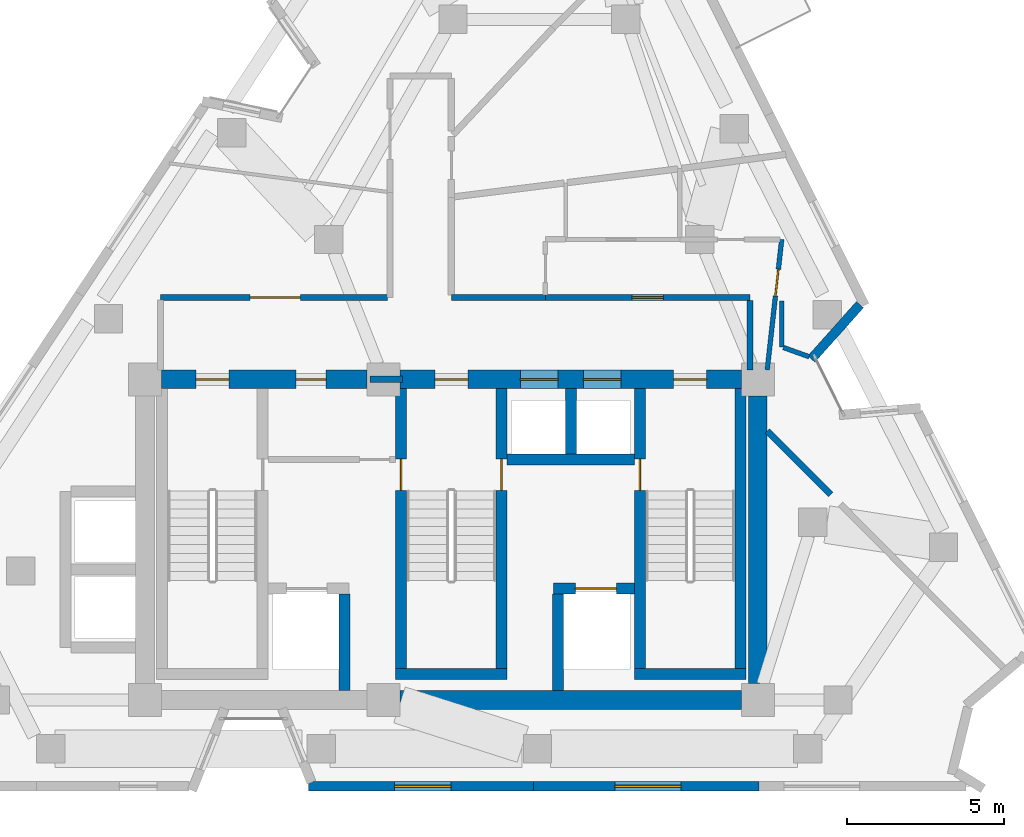
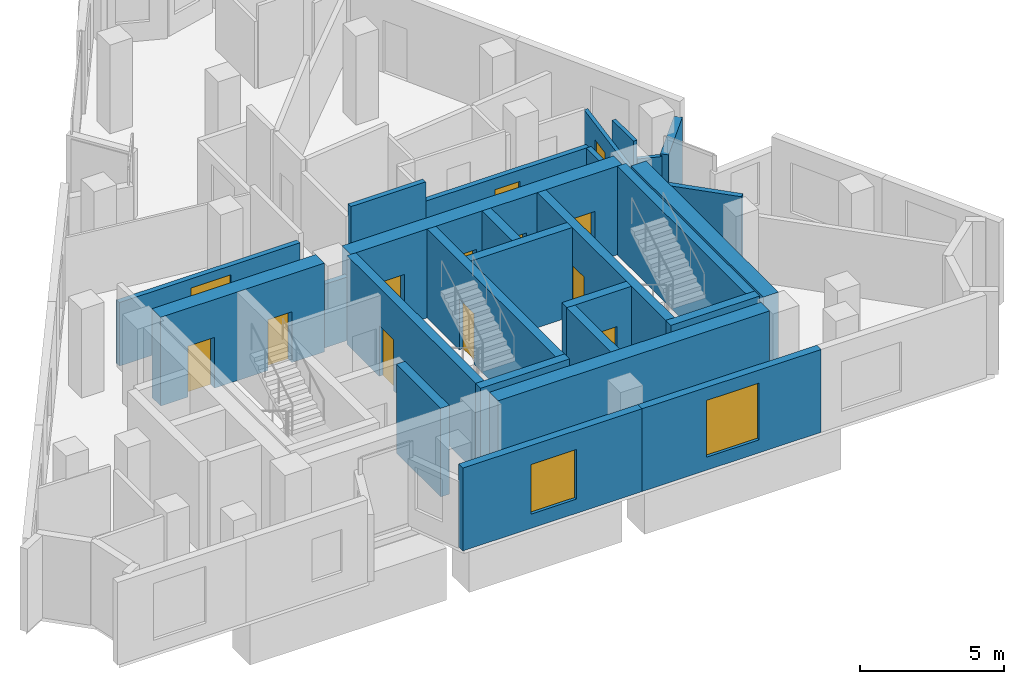
# One storey, part 6 of 9: 27 walls, 13 doors, 2 windows, 15 openings.
"""IFC4 building model written with IfcOpenShell, lengths in metres."""

from ifc_helpers import new_model, si_unit, direction, frame, frame_2d, origin, place, context, subcontext, project, spatial, rectangle, extrude, material, layer, layer_set, type_object, element, fill, save


model = new_model("IFC4")

# Units and contexts
model_context = context("Model", 3, precision=1e-05, world=origin(), true_north=direction((0.0, 1.0)))
body_context = subcontext(model_context, "Body", "Model", "MODEL_VIEW")
ifc_project = project(units=[si_unit("LENGTHUNIT", "METRE"), si_unit("AREAUNIT", "SQUARE_METRE"), si_unit("VOLUMEUNIT", "CUBIC_METRE"), si_unit("PLANEANGLEUNIT", "RADIAN"), si_unit("MASSUNIT", "GRAM", prefix="KILO")], contexts=[model_context])

# Site, building, storey
site_placement = place(None, origin())
site = spatial("IfcSite", under=ifc_project, at=site_placement, CompositionType="ELEMENT")
building_placement = place(site_placement, origin())
building = spatial("IfcBuilding", under=site, at=building_placement, Name="Almagre Mirador Tower", CompositionType="ELEMENT")
storey_placement = place(building_placement, frame((0.0, 0.0, 252.0)))
storey = spatial("IfcBuildingStorey", under=building, at=storey_placement, Name="L65", CompositionType="ELEMENT", Elevation=252.0)

# Wall
ifc_material_1 = material(Name="Precast concrete C50/60", Category="concrete")
ifc_layer_1 = layer(ifc_material_1, 0.300048828125)
ifc_layer_set_1 = layer_set([ifc_layer_1], Name="Precast concrete C50/60")
wall_type_1 = type_object("IfcWallType", Name="WAL-EXT-300", PredefinedType="SOLIDWALL", material=ifc_layer_set_1)
wall_1_placement = place(storey_placement, frame((50.298095703125, 17.123291015625, 0.0), z_axis=(0.0, 0.0, 1.0), x_axis=(-0.665963458611, -0.74598436431, 0.0)))
element("IfcWall", 1, at=wall_1_placement, inside=storey, type_object=wall_type_1, Name="L65 expressed almagre precast frame wall 11", PredefinedType="SOLIDWALL", context=body_context, shape_type="SweptSolid", body=[
    extrude(rectangle(XDim=2.31884765625, YDim=0.300048828125, at=frame_2d((1.159423828125, 0.0))), origin(), (0.0, 0.0, 1.0), 2.824951171875),
])

# Wall, opening, window
wall_2_placement = place(storey_placement, frame((47.080078125, 1.800048828125, 0.0), z_axis=(0.0, 0.0, 1.0), x_axis=(-1.0, 0.0, 0.0)))
wall_2 = element("IfcWall", 2, at=wall_2_placement, inside=storey, type_object=wall_type_1, Name="L65 expressed almagre precast frame wall 20", PredefinedType="SOLIDWALL", context=body_context, shape_type="SweptSolid", body=[
    extrude(rectangle(XDim=7.16015625, YDim=0.300048828125, at=frame_2d((3.580078125, 0.0))), origin(), (0.0, 0.0, 1.0), 3.5),
])
opening_1_placement = place(wall_2_placement, frame((2.47509765625, 0.0, 0.550048828125)))
opening_1 = element("IfcOpeningElement", 3, at=opening_1_placement, cuts=wall_2, Name="Opening WN-05", PredefinedType="OPENING", context=body_context, shape_type="SweptSolid", body=[
    extrude(rectangle(XDim=2.10009765625, YDim=2.39990234375, at=frame_2d((1.050048828125, 1.199951171875))), frame((0.0, 0.159902, 0.0), z_axis=(0.0, -1.0, 0.0), x_axis=(1.0, 0.0, 0.0)), (0.0, 0.0, 1.0), 0.320049),
])
ifc_material_2 = material(Name="Dark solar-control laminated hurricane glass", Category="glass")
window_type_1 = type_object("IfcWindowType", Name="WIN-2100X2400", PartitioningType="DOUBLE_PANEL_VERTICAL", PredefinedType="WINDOW", material=ifc_material_2)
window_1_placement = place(opening_1_placement, origin())
window_1 = element("IfcWindow", 4, at=window_1_placement, inside=storey, type_object=window_type_1, Name="L65 recessed hurricane window L65-RST-B", OverallHeight=2.39990234375, OverallWidth=2.10009765625, PartitioningType="SINGLE_PANEL", PredefinedType="WINDOW", context=body_context, shape_type="SweptSolid", body=[
    extrude(rectangle(XDim=2.10009765625, YDim=2.39990234375, at=frame_2d((1.050048828125, 1.199951171875))), frame((0.0, 0.030029296875, 0.0), z_axis=(0.0, -1.0, 0.0), x_axis=(1.0, 0.0, 0.0)), (0.0, 0.0, 1.0), 0.06005859375),
])
fill(opening_1, window_1)

wall_3_placement = place(storey_placement, frame((39.919921875, 1.800048828125, 0.0), z_axis=(0.0, 0.0, 1.0), x_axis=(-1.0, 0.0, 0.0)))
wall_3 = element("IfcWall", 5, at=wall_3_placement, inside=storey, type_object=wall_type_1, Name="L65 expressed almagre precast frame wall 21", PredefinedType="SOLIDWALL", context=body_context, shape_type="SweptSolid", body=[
    extrude(rectangle(XDim=7.159912109375, YDim=0.300048828125, at=frame_2d((3.580078125, 0.0))), origin(), (0.0, 0.0, 1.0), 3.5),
])
opening_2_placement = place(wall_3_placement, frame((2.625, 0.0, 0.60009765625)))
opening_2 = element("IfcOpeningElement", 6, at=opening_2_placement, cuts=wall_3, Name="Opening WN-01", PredefinedType="OPENING", context=body_context, shape_type="SweptSolid", body=[
    extrude(rectangle(XDim=1.800048828125, YDim=2.10009765625, at=frame_2d((0.89990234375, 1.050048828125))), frame((0.0, 0.159902, 0.0), z_axis=(0.0, -1.0, 0.0), x_axis=(1.0, 0.0, 0.0)), (0.0, 0.0, 1.0), 0.320049),
])
ifc_material_3 = material(Name="Dark solar-control laminated hurricane glass", Category="glass")
window_type_2 = type_object("IfcWindowType", Name="WIN-1800X2100", PartitioningType="DOUBLE_PANEL_VERTICAL", PredefinedType="WINDOW", material=ifc_material_3)
window_2_placement = place(opening_2_placement, origin())
window_2 = element("IfcWindow", 7, at=window_2_placement, inside=storey, type_object=window_type_2, Name="L65 recessed hurricane window L65-RST-B", OverallHeight=2.10009765625, OverallWidth=1.800048828125, PartitioningType="SINGLE_PANEL", PredefinedType="WINDOW", context=body_context, shape_type="SweptSolid", body=[
    extrude(rectangle(XDim=1.800048828125, YDim=2.10009765625, at=frame_2d((0.89990234375, 1.050048828125))), frame((0.0, 0.030029296875, 0.0), z_axis=(0.0, -1.0, 0.0), x_axis=(1.0, 0.0, 0.0)), (0.0, 0.0, 1.0), 0.06005859375),
])
fill(opening_2, window_2)

# Wall, opening, door
ifc_material_4 = material(Name="Gypsum acoustic stud partition", Category="other")
ifc_layer_2 = layer(ifc_material_4, 0.14990234375)
ifc_layer_set_2 = layer_set([ifc_layer_2], Name="Gypsum acoustic stud partition")
wall_type_2 = type_object("IfcWallType", Name="WAL-PRT-150-STD", PredefinedType="PARTITIONING", material=ifc_layer_set_2)
wall_4_placement = place(storey_placement, frame((47.35009765625, 15.050048828125, 0.0), z_axis=(0.0, 0.0, 1.0), x_axis=(0.110161978568, 0.993913647395, 0.0)))
wall_4 = element("IfcWall", 8, at=wall_4_placement, inside=storey, type_object=wall_type_2, Name="L65 interior partition 030", PredefinedType="PARTITIONING", context=body_context, shape_type="SweptSolid", body=[
    extrude(rectangle(XDim=4.17529296875, YDim=0.14990234375, at=frame_2d((2.087646484375, 0.0))), origin(), (0.0, 0.0, 1.0), 2.763916015625),
])
opening_3_placement = place(wall_4_placement, frame((2.365478515625, 0.0, 0.0)))
opening_3 = element("IfcOpeningElement", 9, at=opening_3_placement, cuts=wall_4, Name="Opening UD-04", PredefinedType="OPENING", context=body_context, shape_type="SweptSolid", body=[
    extrude(rectangle(XDim=0.85009765625, YDim=2.10009765625, at=frame_2d((0.425048828125, 1.050048828125))), frame((0.0, 0.084951, 0.0), z_axis=(0.0, -1.0, 0.0), x_axis=(1.0, 0.0, 0.0)), (0.0, 0.0, 1.0), 0.169902),
])
ifc_material_5 = material(Name="Moisture-resistant oak timber", Category="wood")
door_type_1 = type_object("IfcDoorType", Name="DOR-UNR-850X2100", OperationType="NOTDEFINED", PredefinedType="DOOR", material=ifc_material_5)
door_1_placement = place(opening_3_placement, origin())
door_1 = element("IfcDoor", 10, at=door_1_placement, inside=storey, type_object=door_type_1, Name="DR-2001 L65 interior door L65-UF-LV to L65-UF-HB", OperationType="SINGLE_SWING_LEFT", OverallHeight=2.10009765625, OverallWidth=0.85009765625, PredefinedType="DOOR", context=body_context, shape_type="SweptSolid", body=[
    extrude(rectangle(XDim=0.85009765625, YDim=2.10009765625, at=frame_2d((0.425048828125, 1.050048828125))), frame((0.0, 0.02490234375, 0.0), z_axis=(0.0, -1.0, 0.0), x_axis=(1.0, 0.0, 0.0)), (0.0, 0.0, 1.0), 0.050048828125),
])
fill(opening_3, door_1)

# Walls
wall_5_placement = place(storey_placement, frame((47.81005859375, 17.248046875, 0.0), z_axis=(0.0, 0.0, 1.0), x_axis=(0.0, -1.0, 0.0)))
element("IfcWall", 11, at=wall_5_placement, inside=storey, type_object=wall_type_2, Name="L65 interior partition 054", PredefinedType="PARTITIONING", context=body_context, shape_type="SweptSolid", body=[
    extrude(rectangle(XDim=1.468017578125, YDim=0.14990234375, at=frame_2d((0.73388671875, 0.0))), origin(), (0.0, 0.0, 1.0), 3.5),
])
wall_6_placement = place(storey_placement, frame((47.86669921875, 15.760498046875, 0.0), z_axis=(0.0, 0.0, 1.0), x_axis=(0.941080294182, -0.338183204643, 0.0)))
element("IfcWall", 12, at=wall_6_placement, inside=storey, type_object=wall_type_2, Name="L65 interior partition 055", PredefinedType="PARTITIONING", context=body_context, shape_type="SweptSolid", body=[
    extrude(rectangle(XDim=0.87060546875, YDim=0.14990234375, at=frame_2d((0.435302734375, 0.0))), origin(), (0.0, 0.0, 1.0), 2.763916015625),
])
ifc_material_6 = material(Name="Gypsum acoustic stud partition", Category="other")
ifc_layer_3 = layer(ifc_material_6, 0.199951171875)
ifc_layer_set_3 = layer_set([ifc_layer_3], Name="Gypsum acoustic stud partition")
wall_type_3 = type_object("IfcWallType", Name="WAL-PRT-200-EI60", PredefinedType="PARTITIONING", material=ifc_layer_set_3)
wall_7_placement = place(storey_placement, frame((34.719970703125, 14.75, 0.0), z_axis=(0.0, 0.0, 1.0), x_axis=(1.0, 0.0, 0.0)))
element("IfcWall", 13, at=wall_7_placement, inside=storey, type_object=wall_type_3, Name="L65 core north closure wall", PredefinedType="PARTITIONING", context=body_context, shape_type="SweptSolid", body=[
    extrude(rectangle(XDim=1.030029296875, YDim=0.199951171875, at=frame_2d((0.51513671875, 0.0))), origin(), (0.0, 0.0, 1.0), 2.68505859375),
])

# Wall, opening, door
wall_8_placement = place(storey_placement, frame((35.264892578125, 17.35009765625, 0.0), z_axis=(0.0, 0.0, 1.0), x_axis=(-1.0, 0.0, 0.0)))
wall_8 = element("IfcWall", 14, at=wall_8_placement, inside=storey, type_object=wall_type_3, Name="L65 interior partition 003", PredefinedType="PARTITIONING", context=body_context, shape_type="SweptSolid", body=[
    extrude(rectangle(XDim=7.21484375, YDim=0.199951171875, at=frame_2d((3.607421875, 0.0))), origin(), (0.0, 0.0, 1.0), 2.68505859375),
])
opening_4_placement = place(wall_8_placement, frame((2.764892578125, 0.0, 0.0)))
opening_4 = element("IfcOpeningElement", 15, at=opening_4_placement, cuts=wall_8, Name="Opening ID-05", PredefinedType="OPENING", context=body_context, shape_type="SweptSolid", body=[
    extrude(rectangle(XDim=1.60009765625, YDim=2.300048828125, at=frame_2d((0.800048828125, 1.14990234375))), frame((0.0, 0.110098, 0.0), z_axis=(0.0, -1.0, 0.0), x_axis=(1.0, 0.0, 0.0)), (0.0, 0.0, 1.0), 0.219951),
])
ifc_material_7 = material(Name="Fire-rated acoustic timber", Category="wood")
door_type_2 = type_object("IfcDoorType", Name="DOR-FD60-1600X2300", OperationType="DOUBLE_DOOR_SINGLE_SWING", PredefinedType="DOOR", material=ifc_material_7)
door_2_placement = place(opening_4_placement, origin())
door_2 = element("IfcDoor", 16, at=door_2_placement, inside=storey, type_object=door_type_2, Name="DR-1996 L65 interior door L65-RCOR to L65-RST-E", OperationType="DOUBLE_DOOR_SINGLE_SWING", OverallHeight=2.300048828125, OverallWidth=1.60009765625, PredefinedType="DOOR", context=body_context, shape_type="SweptSolid", body=[
    extrude(rectangle(XDim=1.60009765625, YDim=2.300048828125, at=frame_2d((0.800048828125, 1.14990234375))), frame((0.0, 0.02490234375, 0.0), z_axis=(0.0, -1.0, 0.0), x_axis=(1.0, 0.0, 0.0)), (0.0, 0.0, 1.0), 0.050048828125),
])
fill(opening_4, door_2)

wall_9_placement = place(storey_placement, frame((46.800048828125, 17.35009765625, 0.0), z_axis=(0.0, 0.0, 1.0), x_axis=(-1.0, 0.0, 0.0)))
wall_9 = element("IfcWall", 17, at=wall_9_placement, inside=storey, type_object=wall_type_3, Name="L65 interior partition 006", PredefinedType="PARTITIONING", context=body_context, shape_type="SweptSolid", body=[
    extrude(rectangle(XDim=6.510009765625, YDim=0.199951171875, at=frame_2d((3.2548828125, 0.0))), origin(), (0.0, 0.0, 1.0), 2.68505859375),
])
opening_5_placement = place(wall_9_placement, frame((2.7548828125, 0.0, 0.0)))
opening_5 = element("IfcOpeningElement", 18, at=opening_5_placement, cuts=wall_9, Name="Opening ID-01", PredefinedType="OPENING", context=body_context, shape_type="SweptSolid", body=[
    extrude(rectangle(XDim=1.0, YDim=2.199951171875, at=frame_2d((0.5, 1.10009765625))), frame((0.0, 0.110098, 0.0), z_axis=(0.0, -1.0, 0.0), x_axis=(1.0, 0.0, 0.0)), (0.0, 0.0, 1.0), 0.219951),
])
ifc_material_8 = material(Name="Fire-rated walnut timber", Category="wood")
door_type_3 = type_object("IfcDoorType", Name="DOR-FD60-1000X2200", OperationType="NOTDEFINED", PredefinedType="DOOR", material=ifc_material_8)
door_3_placement = place(opening_5_placement, origin())
door_3 = element("IfcDoor", 19, at=door_3_placement, inside=storey, type_object=door_type_3, Name="DR-1999 L65 interior door L65-RCOR to L65-UF-LV", OperationType="SINGLE_SWING_LEFT", OverallHeight=2.199951171875, OverallWidth=1.0, PredefinedType="DOOR", context=body_context, shape_type="SweptSolid", body=[
    extrude(rectangle(XDim=1.0, YDim=2.199951171875, at=frame_2d((0.5, 1.10009765625))), frame((0.0, 0.02490234375, 0.0), z_axis=(0.0, -1.0, 0.0), x_axis=(1.0, 0.0, 0.0)), (0.0, 0.0, 1.0), 0.050048828125),
])
fill(opening_5, door_3)

# Walls
wall_10_placement = place(storey_placement, frame((40.2900390625, 17.35009765625, 0.0), z_axis=(0.0, 0.0, 1.0), x_axis=(-1.0, 0.0, 0.0)))
element("IfcWall", 20, at=wall_10_placement, inside=storey, type_object=wall_type_3, Name="L65 interior partition 007", PredefinedType="PARTITIONING", context=body_context, shape_type="SweptSolid", body=[
    extrude(rectangle(XDim=2.989990234375, YDim=0.199951171875, at=frame_2d((1.4951171875, 0.0))), origin(), (0.0, 0.0, 1.0), 3.5),
])
wall_11_placement = place(storey_placement, frame((49.3701171875, 11.080078125, 0.0), z_axis=(0.0, 0.0, 1.0), x_axis=(-0.707106781187, 0.707106781187, 0.0)))
element("IfcWall", 21, at=wall_11_placement, inside=storey, type_object=wall_type_3, Name="L65 interior partition 024", PredefinedType="PARTITIONING", context=body_context, shape_type="SweptSolid", body=[
    extrude(rectangle(XDim=2.856689453125, YDim=0.199951171875, at=frame_2d((1.42822265625, 0.0))), origin(), (0.0, 0.0, 1.0), 3.5),
])
wall_12_placement = place(storey_placement, frame((46.800048828125, 15.050048828125, 0.0), z_axis=(0.0, 0.0, 1.0), x_axis=(0.0, 1.0, 0.0)))
element("IfcWall", 22, at=wall_12_placement, inside=storey, type_object=wall_type_3, Name="L65 interior partition 051", PredefinedType="PARTITIONING", context=body_context, shape_type="SweptSolid", body=[
    extrude(rectangle(XDim=2.198974609375, YDim=0.199951171875, at=frame_2d((1.099609375, 0.0))), origin(), (0.0, 0.0, 1.0), 2.68505859375),
])

# Wall, opening, door
ifc_material_9 = material(Name="Concrete C60/75", Category="concrete")
ifc_layer_4 = layer(ifc_material_9, 0.35009765625)
ifc_layer_set_4 = layer_set([ifc_layer_4], Name="Concrete C60/75")
wall_type_4 = type_object("IfcWallType", Name="WAL-SHF-350", PredefinedType="SOLIDWALL", material=ifc_layer_set_4)
wall_13_placement = place(storey_placement, frame((35.699951171875, 5.199951171875, 0.0), z_axis=(0.0, 0.0, 1.0), x_axis=(0.0, 1.0, 0.0)))
wall_13 = element("IfcWall", 23, at=wall_13_placement, inside=storey, type_object=wall_type_4, Name="L65 shaft wall ST2-W", PredefinedType="SOLIDWALL", context=body_context, shape_type="SweptSolid", body=[
    extrude(rectangle(XDim=9.25, YDim=0.35009765625, at=frame_2d((4.625, 0.0))), origin(), (0.0, 0.0, 1.0), 3.75),
])
opening_6_placement = place(wall_13_placement, frame((6.02001953125, 0.0, 0.0)))
opening_6 = element("IfcOpeningElement", 24, at=opening_6_placement, cuts=wall_13, Name="Opening FD-01", PredefinedType="OPENING", context=body_context, shape_type="SweptSolid", body=[
    extrude(rectangle(XDim=1.0, YDim=2.14990234375, at=frame_2d((0.5, 1.074951171875))), frame((0.0, 0.185049, 0.0), z_axis=(0.0, -1.0, 0.0), x_axis=(1.0, 0.0, 0.0)), (0.0, 0.0, 1.0), 0.370098),
])
ifc_material_10 = material(Name="Fire-rated hollow steel", Category="steel")
door_type_4 = type_object("IfcDoorType", Name="DOR-FFL-1000X2150", OperationType="NOTDEFINED", PredefinedType="DOOR", material=ifc_material_10)
door_4_placement = place(opening_6_placement, origin())
door_4 = element("IfcDoor", 25, at=door_4_placement, inside=storey, type_object=door_type_4, Name="DR-1993 L65 FFL1-ST2 smokeproof door", OperationType="SINGLE_SWING_LEFT", OverallHeight=2.14990234375, OverallWidth=1.0, PredefinedType="DOOR", context=body_context, shape_type="SweptSolid", body=[
    extrude(rectangle(XDim=1.0, YDim=2.14990234375, at=frame_2d((0.5, 1.074951171875))), frame((0.0, 0.02490234375, 0.0), z_axis=(0.0, -1.0, 0.0), x_axis=(1.0, 0.0, 0.0)), (0.0, 0.0, 1.0), 0.050048828125),
])
fill(opening_6, door_4)

wall_14_placement = place(storey_placement, frame((38.89990234375, 5.199951171875, 0.0), z_axis=(0.0, 0.0, 1.0), x_axis=(0.0, 1.0, 0.0)))
wall_14 = element("IfcWall", 26, at=wall_14_placement, inside=storey, type_object=wall_type_4, Name="L65 shaft wall ST2-E", PredefinedType="SOLIDWALL", context=body_context, shape_type="SweptSolid", body=[
    extrude(rectangle(XDim=9.25, YDim=0.35009765625, at=frame_2d((4.625, 0.0))), origin(), (0.0, 0.0, 1.0), 3.75),
])
opening_7_placement = place(wall_14_placement, frame((6.02001953125, 0.0, 0.0)))
opening_7 = element("IfcOpeningElement", 27, at=opening_7_placement, cuts=wall_14, Name="Opening FD-01", PredefinedType="OPENING", context=body_context, shape_type="SweptSolid", body=[
    extrude(rectangle(XDim=1.0, YDim=2.14990234375, at=frame_2d((0.5, 1.074951171875))), frame((0.0, 0.185049, 0.0), z_axis=(0.0, -1.0, 0.0), x_axis=(1.0, 0.0, 0.0)), (0.0, 0.0, 1.0), 0.370098),
])
door_5_placement = place(opening_7_placement, origin())
door_5 = element("IfcDoor", 28, at=door_5_placement, inside=storey, type_object=door_type_4, Name="DR-1994 L65 FFL2-ST2 smokeproof door", OperationType="SINGLE_SWING_RIGHT", OverallHeight=2.14990234375, OverallWidth=1.0, PredefinedType="DOOR", context=body_context, shape_type="SweptSolid", body=[
    extrude(rectangle(XDim=1.0, YDim=2.14990234375, at=frame_2d((0.5, 1.074951171875))), frame((0.0, 0.02490234375, 0.0), z_axis=(0.0, -1.0, 0.0), x_axis=(1.0, 0.0, 0.0)), (0.0, 0.0, 1.0), 0.050048828125),
])
fill(opening_7, door_5)

# Wall
wall_15_placement = place(storey_placement, frame((35.52490234375, 5.375, 0.0), z_axis=(0.0, 0.0, 1.0), x_axis=(1.0, 0.0, 0.0)))
element("IfcWall", 29, at=wall_15_placement, inside=storey, type_object=wall_type_4, Name="L65 shaft wall ST2-S", PredefinedType="SOLIDWALL", context=body_context, shape_type="SweptSolid", body=[
    extrude(rectangle(XDim=3.550048828125, YDim=0.35009765625, at=frame_2d((1.77490234375, 0.0))), origin(), (0.0, 0.0, 1.0), 3.75),
])

# Wall, opening, door
wall_16_placement = place(storey_placement, frame((43.300048828125, 5.199951171875, 0.0), z_axis=(0.0, 0.0, 1.0), x_axis=(0.0, 1.0, 0.0)))
wall_16 = element("IfcWall", 30, at=wall_16_placement, inside=storey, type_object=wall_type_4, Name="L65 shaft wall ST3-W", PredefinedType="SOLIDWALL", context=body_context, shape_type="SweptSolid", body=[
    extrude(rectangle(XDim=9.25, YDim=0.35009765625, at=frame_2d((4.625, 0.0))), origin(), (0.0, 0.0, 1.0), 3.75),
])
opening_8_placement = place(wall_16_placement, frame((6.02001953125, 0.0, 0.0)))
opening_8 = element("IfcOpeningElement", 31, at=opening_8_placement, cuts=wall_16, Name="Opening FD-01", PredefinedType="OPENING", context=body_context, shape_type="SweptSolid", body=[
    extrude(rectangle(XDim=1.0, YDim=2.14990234375, at=frame_2d((0.5, 1.074951171875))), frame((0.0, 0.185049, 0.0), z_axis=(0.0, -1.0, 0.0), x_axis=(1.0, 0.0, 0.0)), (0.0, 0.0, 1.0), 0.370098),
])
door_6_placement = place(opening_8_placement, origin())
door_6 = element("IfcDoor", 32, at=door_6_placement, inside=storey, type_object=door_type_4, Name="DR-1995 L65 FFL2-ST3 smokeproof door", OperationType="SINGLE_SWING_LEFT", OverallHeight=2.14990234375, OverallWidth=1.0, PredefinedType="DOOR", context=body_context, shape_type="SweptSolid", body=[
    extrude(rectangle(XDim=1.0, YDim=2.14990234375, at=frame_2d((0.5, 1.074951171875))), frame((0.0, 0.02490234375, 0.0), z_axis=(0.0, -1.0, 0.0), x_axis=(1.0, 0.0, 0.0)), (0.0, 0.0, 1.0), 0.050048828125),
])
fill(opening_8, door_6)

# Walls
wall_17_placement = place(storey_placement, frame((46.5, 5.199951171875, 0.0), z_axis=(0.0, 0.0, 1.0), x_axis=(0.0, 1.0, 0.0)))
element("IfcWall", 33, at=wall_17_placement, inside=storey, type_object=wall_type_4, Name="L65 shaft wall ST3-E", PredefinedType="SOLIDWALL", context=body_context, shape_type="SweptSolid", body=[
    extrude(rectangle(XDim=9.25, YDim=0.35009765625, at=frame_2d((4.625, 0.0))), origin(), (0.0, 0.0, 1.0), 3.75),
])
wall_18_placement = place(storey_placement, frame((43.125, 5.375, 0.0), z_axis=(0.0, 0.0, 1.0), x_axis=(1.0, 0.0, 0.0)))
element("IfcWall", 34, at=wall_18_placement, inside=storey, type_object=wall_type_4, Name="L65 shaft wall ST3-S", PredefinedType="SOLIDWALL", context=body_context, shape_type="SweptSolid", body=[
    extrude(rectangle(XDim=3.550048828125, YDim=0.35009765625, at=frame_2d((1.77490234375, 0.0))), origin(), (0.0, 0.0, 1.0), 3.75),
])

# Wall, opening, door
wall_19_placement = place(storey_placement, frame((40.550048828125, 8.10009765625, 0.0), z_axis=(0.0, 0.0, 1.0), x_axis=(1.0, 0.0, 0.0)))
wall_19 = element("IfcWall", 35, at=wall_19_placement, inside=storey, type_object=wall_type_4, Name="L65 shaft wall FSAE2-N", PredefinedType="SOLIDWALL", context=body_context, shape_type="SweptSolid", body=[
    extrude(rectangle(XDim=2.574951171875, YDim=0.35009765625, at=frame_2d((1.28759765625, 0.0))), origin(), (0.0, 0.0, 1.0), 3.75),
])
opening_9_placement = place(wall_19_placement, frame((0.699951171875, 0.0, 0.0)))
opening_9 = element("IfcOpeningElement", 36, at=opening_9_placement, cuts=wall_19, Name="Opening LD-03", PredefinedType="OPENING", context=body_context, shape_type="SweptSolid", body=[
    extrude(rectangle(XDim=1.300048828125, YDim=2.25, at=frame_2d((0.64990234375, 1.125))), frame((0.0, 0.185049, 0.0), z_axis=(0.0, -1.0, 0.0), x_axis=(1.0, 0.0, 0.0)), (0.0, 0.0, 1.0), 0.370098),
])
ifc_material_11 = material(Name="Hollow stainless steel", Category="steel")
door_type_5 = type_object("IfcDoorType", Name="DOR-LD-1300X2250", OperationType="DOUBLE_DOOR_SLIDING", PredefinedType="DOOR", material=ifc_material_11)
door_7_placement = place(opening_9_placement, origin())
door_7 = element("IfcDoor", 37, at=door_7_placement, inside=storey, type_object=door_type_5, Name="DR-2005 L65 FSAE-2 lift landing door", OperationType="DOUBLE_DOOR_SLIDING", OverallHeight=2.25, OverallWidth=1.300048828125, PredefinedType="DOOR", context=body_context, shape_type="SweptSolid", body=[
    extrude(rectangle(XDim=1.300048828125, YDim=2.25, at=frame_2d((0.64990234375, 1.125))), frame((0.0, 0.02490234375, 0.0), z_axis=(0.0, -1.0, 0.0), x_axis=(1.0, 0.0, 0.0)), (0.0, 0.0, 1.0), 0.050048828125),
])
fill(opening_9, door_7)

# Walls
for number, where, z_axis, x_axis, name in (
    (38, (33.89990234375, 4.85009765625, 0.0), (0.0, 0.0, 1.0), (0.0, 1.0, 0.0), "L65 shaft wall FSAE1-E"),
    (39, (40.699951171875, 4.85009765625, 0.0), (0.0, 0.0, 1.0), (0.0, 1.0, 0.0), "L65 shaft wall FSAE2-W"),
):
    element("IfcWall", number, at=place(storey_placement, frame(where, z_axis=z_axis, x_axis=x_axis)), inside=storey, type_object=wall_type_4, Name=name, PredefinedType="SOLIDWALL", context=body_context, shape_type="SweptSolid", body=[
        extrude(rectangle(XDim=3.074951171875, YDim=0.35009765625, at=frame_2d((1.53759765625, 0.0))), origin(), (0.0, 0.0, 1.0), 3.75),
    ])
wall_20_placement = place(storey_placement, frame((39.074951171875, 12.199951171875, 0.0), z_axis=(0.0, 0.0, 1.0), x_axis=(1.0, 0.0, 0.0)))
element("IfcWall", 40, at=wall_20_placement, inside=storey, type_object=wall_type_4, Name="L65 shaft wall PLH-S", PredefinedType="SOLIDWALL", context=body_context, shape_type="SweptSolid", body=[
    extrude(rectangle(XDim=4.050048828125, YDim=0.35009765625, at=frame_2d((2.02490234375, 0.0))), origin(), (0.0, 0.0, 1.0), 3.75),
])
wall_21_placement = place(storey_placement, frame((41.10009765625, 12.375, 0.0), z_axis=(0.0, 0.0, 1.0), x_axis=(0.0, 1.0, 0.0)))
element("IfcWall", 41, at=wall_21_placement, inside=storey, type_object=wall_type_4, Name="L65 shaft wall PLH-M", PredefinedType="SOLIDWALL", context=body_context, shape_type="SweptSolid", body=[
    extrude(rectangle(XDim=2.074951171875, YDim=0.35009765625, at=frame_2d((1.03759765625, 0.0))), origin(), (0.0, 0.0, 1.0), 3.75),
])
ifc_material_12 = material(Name="Concrete C60/75", Category="concrete")
ifc_layer_5 = layer(ifc_material_12, 0.60009765625)
ifc_layer_set_5 = layer_set([ifc_layer_5], Name="Concrete C60/75")
wall_type_5 = type_object("IfcWallType", Name="WAL-SHR-600", PredefinedType="SHEAR", material=ifc_layer_set_5)
wall_22_placement = place(storey_placement, frame((35.675048828125, 4.550048828125, 0.0), z_axis=(0.0, 0.0, 1.0), x_axis=(1.0, 0.0, 0.0)))
element("IfcWall", 42, at=wall_22_placement, inside=storey, type_object=wall_type_5, Name="L65 core shear wall S2", PredefinedType="SHEAR", context=body_context, shape_type="SweptSolid", body=[
    extrude(rectangle(XDim=10.849853515625, YDim=0.60009765625, at=frame_2d((5.4248046875, 0.0))), origin(), (0.0, 0.0, 1.0), 3.75),
])

# Wall, openings, doors
wall_23_placement = place(storey_placement, frame((28.074951171875, 14.75, 0.0), z_axis=(0.0, 0.0, 1.0), x_axis=(1.0, 0.0, 0.0)))
wall_23 = element("IfcWall", 43, at=wall_23_placement, inside=storey, type_object=wall_type_5, Name="L65 core shear wall N1", PredefinedType="SHEAR", context=body_context, shape_type="SweptSolid", body=[
    extrude(rectangle(XDim=6.550048828125, YDim=0.60009765625, at=frame_2d((3.27490234375, 0.0))), origin(), (0.0, 0.0, 1.0), 3.75),
])
opening_10_placement = place(wall_23_placement, frame((1.10009765625, 0.0, 0.0)))
opening_10 = element("IfcOpeningElement", 44, at=opening_10_placement, cuts=wall_23, Name="Opening SD-01", PredefinedType="OPENING", context=body_context, shape_type="SweptSolid", body=[
    extrude(rectangle(XDim=1.050048828125, YDim=2.14990234375, at=frame_2d((0.52490234375, 1.074951171875))), frame((0.0, 0.310049, 0.0), z_axis=(0.0, -1.0, 0.0), x_axis=(1.0, 0.0, 0.0)), (0.0, 0.0, 1.0), 0.620098),
])
opening_11_placement = place(wall_23_placement, frame((4.2900390625, 0.0, 0.0)))
opening_11 = element("IfcOpeningElement", 45, at=opening_11_placement, cuts=wall_23, Name="Opening FD-02", PredefinedType="OPENING", context=body_context, shape_type="SweptSolid", body=[
    extrude(rectangle(XDim=0.949951171875, YDim=2.14990234375, at=frame_2d((0.47509765625, 1.074951171875))), frame((0.0, 0.310049, 0.0), z_axis=(0.0, -1.0, 0.0), x_axis=(1.0, 0.0, 0.0)), (0.0, 0.0, 1.0), 0.620098),
])
ifc_material_13 = material(Name="Fire-rated hollow steel", Category="steel")
door_type_6 = type_object("IfcDoorType", Name="DOR-FD90-950X2150", OperationType="NOTDEFINED", PredefinedType="DOOR", material=ifc_material_13)
door_8_placement = place(opening_11_placement, origin())
door_8 = element("IfcDoor", 46, at=door_8_placement, inside=storey, type_object=door_type_6, Name="DR-1990 L65 core equipment room north door", OperationType="SINGLE_SWING_LEFT", OverallHeight=2.14990234375, OverallWidth=0.949951171875, PredefinedType="DOOR", context=body_context, shape_type="SweptSolid", body=[
    extrude(rectangle(XDim=0.949951171875, YDim=2.14990234375, at=frame_2d((0.47509765625, 1.074951171875))), frame((0.0, 0.02490234375, 0.0), z_axis=(0.0, -1.0, 0.0), x_axis=(1.0, 0.0, 0.0)), (0.0, 0.0, 1.0), 0.050048828125),
])
fill(opening_11, door_8)
ifc_material_14 = material(Name="Fire-rated hollow steel", Category="steel")
door_type_7 = type_object("IfcDoorType", Name="DOR-ST-1050X2150", OperationType="NOTDEFINED", PredefinedType="DOOR", material=ifc_material_14)
door_9_placement = place(opening_10_placement, origin())
door_9 = element("IfcDoor", 47, at=door_9_placement, inside=storey, type_object=door_type_7, Name="DR-2008 L65 protected exit stair ST-1 door", OperationType="SINGLE_SWING_LEFT", OverallHeight=2.14990234375, OverallWidth=1.050048828125, PredefinedType="DOOR", context=body_context, shape_type="SweptSolid", body=[
    extrude(rectangle(XDim=1.050048828125, YDim=2.14990234375, at=frame_2d((0.52490234375, 1.074951171875))), frame((0.0, 0.02490234375, 0.0), z_axis=(0.0, -1.0, 0.0), x_axis=(1.0, 0.0, 0.0)), (0.0, 0.0, 1.0), 0.050048828125),
])
fill(opening_10, door_9)

wall_24_placement = place(storey_placement, frame((35.675048828125, 14.75, 0.0), z_axis=(0.0, 0.0, 1.0), x_axis=(1.0, 0.0, 0.0)))
wall_24 = element("IfcWall", 48, at=wall_24_placement, inside=storey, type_object=wall_type_5, Name="L65 core shear wall N2", PredefinedType="SHEAR", context=body_context, shape_type="SweptSolid", body=[
    extrude(rectangle(XDim=10.849853515625, YDim=0.60009765625, at=frame_2d((5.4248046875, 0.0))), origin(), (0.0, 0.0, 1.0), 3.75),
])
opening_12_placement = place(wall_24_placement, frame((1.10009765625, 0.0, 0.0)))
opening_12 = element("IfcOpeningElement", 49, at=opening_12_placement, cuts=wall_24, Name="Opening SD-01", PredefinedType="OPENING", context=body_context, shape_type="SweptSolid", body=[
    extrude(rectangle(XDim=1.050048828125, YDim=2.14990234375, at=frame_2d((0.52490234375, 1.074951171875))), frame((0.0, 0.310049, 0.0), z_axis=(0.0, -1.0, 0.0), x_axis=(1.0, 0.0, 0.0)), (0.0, 0.0, 1.0), 0.620098),
])
opening_13_placement = place(wall_24_placement, frame((8.699951171875, 0.0, 0.0)))
opening_13 = element("IfcOpeningElement", 50, at=opening_13_placement, cuts=wall_24, Name="Opening SD-01", PredefinedType="OPENING", context=body_context, shape_type="SweptSolid", body=[
    extrude(rectangle(XDim=1.050048828125, YDim=2.14990234375, at=frame_2d((0.52490234375, 1.074951171875))), frame((0.0, 0.310049, 0.0), z_axis=(0.0, -1.0, 0.0), x_axis=(1.0, 0.0, 0.0)), (0.0, 0.0, 1.0), 0.620098),
])
opening_14_placement = place(wall_24_placement, frame((3.824951171875, 0.0, 0.0)))
opening_14 = element("IfcOpeningElement", 51, at=opening_14_placement, cuts=wall_24, Name="Opening LD-02", PredefinedType="OPENING", context=body_context, shape_type="SweptSolid", body=[
    extrude(rectangle(XDim=1.199951171875, YDim=2.199951171875, at=frame_2d((0.60009765625, 1.10009765625))), frame((0.0, 0.310049, 0.0), z_axis=(0.0, -1.0, 0.0), x_axis=(1.0, 0.0, 0.0)), (0.0, 0.0, 1.0), 0.620098),
])
opening_15_placement = place(wall_24_placement, frame((5.824951171875, 0.0, 0.0)))
opening_15 = element("IfcOpeningElement", 52, at=opening_15_placement, cuts=wall_24, Name="Opening LD-02", PredefinedType="OPENING", context=body_context, shape_type="SweptSolid", body=[
    extrude(rectangle(XDim=1.199951171875, YDim=2.199951171875, at=frame_2d((0.60009765625, 1.10009765625))), frame((0.0, 0.310049, 0.0), z_axis=(0.0, -1.0, 0.0), x_axis=(1.0, 0.0, 0.0)), (0.0, 0.0, 1.0), 0.620098),
])
ifc_material_15 = material(Name="Hollow stainless steel", Category="steel")
door_type_8 = type_object("IfcDoorType", Name="DOR-LD-1200X2200", OperationType="DOUBLE_DOOR_SLIDING", PredefinedType="DOOR", material=ifc_material_15)
door_10_placement = place(opening_14_placement, origin())
door_10 = element("IfcDoor", 53, at=door_10_placement, inside=storey, type_object=door_type_8, Name="DR-2006 L65 PL-H1 lift landing door", OperationType="DOUBLE_DOOR_SLIDING", OverallHeight=2.199951171875, OverallWidth=1.199951171875, PredefinedType="DOOR", context=body_context, shape_type="SweptSolid", body=[
    extrude(rectangle(XDim=1.199951171875, YDim=2.199951171875, at=frame_2d((0.60009765625, 1.10009765625))), frame((0.0, 0.02490234375, 0.0), z_axis=(0.0, -1.0, 0.0), x_axis=(1.0, 0.0, 0.0)), (0.0, 0.0, 1.0), 0.050048828125),
])
fill(opening_14, door_10)
door_11_placement = place(opening_15_placement, origin())
door_11 = element("IfcDoor", 54, at=door_11_placement, inside=storey, type_object=door_type_8, Name="DR-2007 L65 PL-H2 lift landing door", OperationType="DOUBLE_DOOR_SLIDING", OverallHeight=2.199951171875, OverallWidth=1.199951171875, PredefinedType="DOOR", context=body_context, shape_type="SweptSolid", body=[
    extrude(rectangle(XDim=1.199951171875, YDim=2.199951171875, at=frame_2d((0.60009765625, 1.10009765625))), frame((0.0, 0.02490234375, 0.0), z_axis=(0.0, -1.0, 0.0), x_axis=(1.0, 0.0, 0.0)), (0.0, 0.0, 1.0), 0.050048828125),
])
fill(opening_15, door_11)
door_12_placement = place(opening_12_placement, origin())
door_12 = element("IfcDoor", 55, at=door_12_placement, inside=storey, type_object=door_type_7, Name="DR-2009 L65 protected exit stair ST-2 door", OperationType="SINGLE_SWING_RIGHT", OverallHeight=2.14990234375, OverallWidth=1.050048828125, PredefinedType="DOOR", context=body_context, shape_type="SweptSolid", body=[
    extrude(rectangle(XDim=1.050048828125, YDim=2.14990234375, at=frame_2d((0.52490234375, 1.074951171875))), frame((0.0, 0.02490234375, 0.0), z_axis=(0.0, -1.0, 0.0), x_axis=(1.0, 0.0, 0.0)), (0.0, 0.0, 1.0), 0.050048828125),
])
fill(opening_12, door_12)
door_13_placement = place(opening_13_placement, origin())
door_13 = element("IfcDoor", 56, at=door_13_placement, inside=storey, type_object=door_type_7, Name="DR-2010 L65 protected exit stair ST-3 door", OperationType="SINGLE_SWING_LEFT", OverallHeight=2.14990234375, OverallWidth=1.050048828125, PredefinedType="DOOR", context=body_context, shape_type="SweptSolid", body=[
    extrude(rectangle(XDim=1.050048828125, YDim=2.14990234375, at=frame_2d((0.52490234375, 1.074951171875))), frame((0.0, 0.02490234375, 0.0), z_axis=(0.0, -1.0, 0.0), x_axis=(1.0, 0.0, 0.0)), (0.0, 0.0, 1.0), 0.050048828125),
])
fill(opening_13, door_13)

# Wall
wall_25_placement = place(storey_placement, frame((47.050048828125, 5.074951171875, 0.0), z_axis=(0.0, 0.0, 1.0), x_axis=(0.0, 1.0, 0.0)))
element("IfcWall", 57, at=wall_25_placement, inside=storey, type_object=wall_type_5, Name="L65 core shear wall E1", PredefinedType="SHEAR", context=body_context, shape_type="SweptSolid", body=[
    extrude(rectangle(XDim=9.150146484375, YDim=0.60009765625, at=frame_2d((4.5751953125, 0.0))), origin(), (0.0, 0.0, 1.0), 3.75),
])

save(model, "model.ifc")
